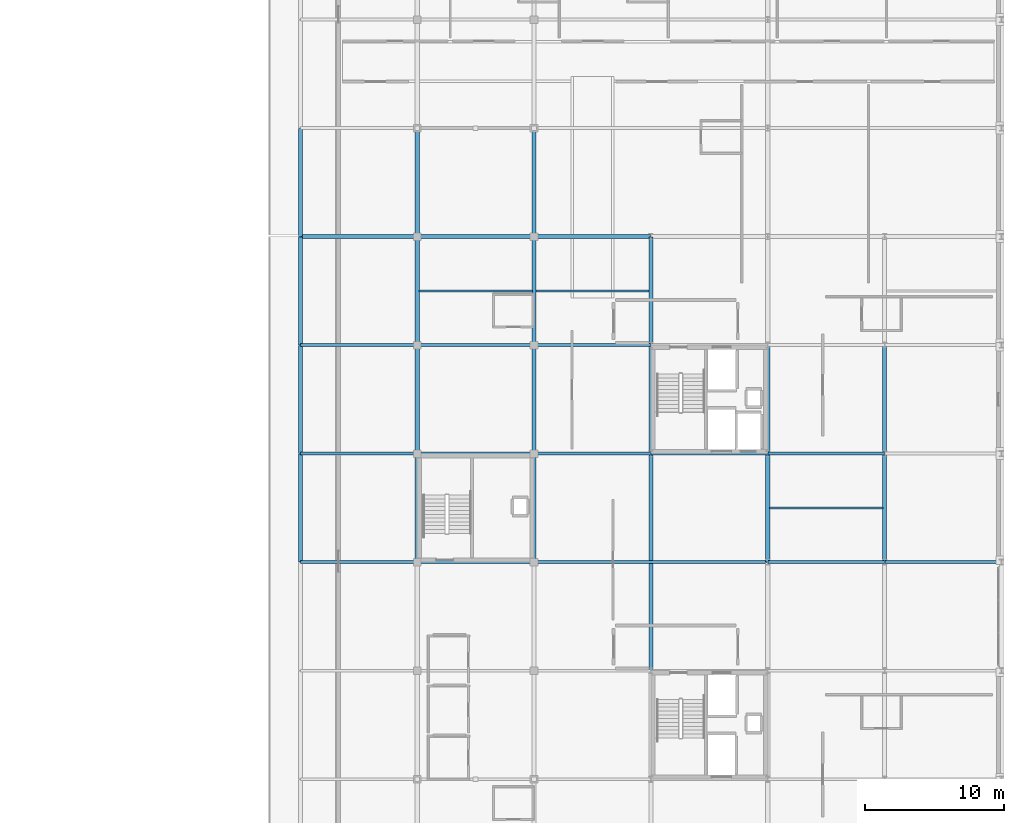
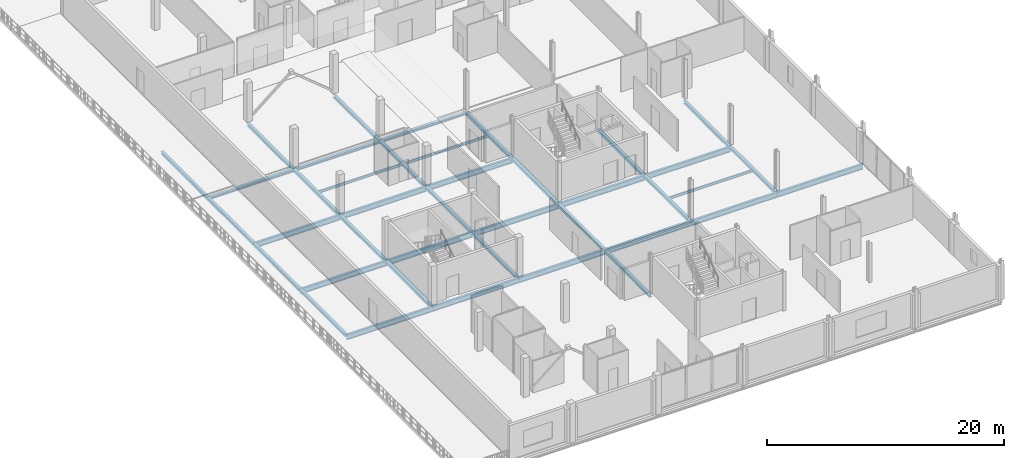
# One storey, part 6 of 20: 38 beams.
"""IFC4 building model written with IfcOpenShell, lengths in metres."""

import ifcopenshell
import ifcopenshell.guid

model = None  # the IFC model being written
_history = None  # IfcOwnerHistory: only IFC2X3 demands one
_inside = {}  # id of a spatial element -> (the spatial element, [elements in it])
_under = {}  # id of a project, library or spatial element -> (it, [spatial elements below it])
_declared = {}  # id of a project -> (the project, [libraries it declares])
_typed = {}  # id of a type object -> (the type object, [elements of that type])
_made_of = {}  # id of a material, layer set ... -> (it, [elements and type objects made of it])


def new_model(schema):
    """Start an empty IFC model of exactly this schema.

    Asked for "IFC4X3", IfcOpenShell would pick the latest addendum, in which some entities
    have other attributes; the version numbers below select the first issue.
    IFC2X3 requires an IfcOwnerHistory on every rooted entity: one is made here for all.
    """
    global model, _history
    if schema == "IFC4X3":
        model = ifcopenshell.file(schema_version=(4, 3, 0, 0))
    else:
        model = ifcopenshell.file(schema=schema)
    _inside.clear()
    _under.clear()
    _declared.clear()
    _typed.clear()
    _made_of.clear()
    _history = None
    if model.schema == "IFC2X3":
        org = make("IfcOrganization", Name="unknown")
        user = make(
            "IfcPersonAndOrganization",
            ThePerson=make("IfcPerson", FamilyName="unknown"),
            TheOrganization=org,
        )
        app = make(
            "IfcApplication",
            ApplicationDeveloper=org,
            Version="unknown",
            ApplicationFullName="unknown",
            ApplicationIdentifier="unknown",
        )
        _history = make(
            "IfcOwnerHistory",
            OwningUser=user,
            OwningApplication=app,
            ChangeAction="ADDED",
            CreationDate=0,
        )
    return model


def make(cls, **values):
    """One entity of the class cls with the attributes given. An attribute that is None is left unset."""
    return model.create_entity(
        cls, **{name: value for name, value in values.items() if value is not None}
    )


def rooted(cls, **values):
    """An entity with a GlobalId (a new one), such as an element, a storey or a relation."""
    return make(cls, GlobalId=ifcopenshell.guid.new(), OwnerHistory=_history, **values)


def si_unit(unit_type, name, prefix=None):
    """IfcSIUnit, for example si_unit("LENGTHUNIT", "METRE", prefix="MILLI")."""
    return make("IfcSIUnit", UnitType=unit_type, Prefix=prefix, Name=name)


def assignment(units):
    """IfcUnitAssignment: the units of a project."""
    return None if units is None else make("IfcUnitAssignment", Units=units)


def point(xyz):
    """IfcCartesianPoint."""
    return None if xyz is None else make("IfcCartesianPoint", Coordinates=xyz)


def direction(xyz):
    """IfcDirection."""
    return None if xyz is None else make("IfcDirection", DirectionRatios=xyz)


def frame(location, z_axis=None, x_axis=None):
    """IfcAxis2Placement3D, a coordinate frame: its origin and axes. An axis left out is left unset."""
    return make(
        "IfcAxis2Placement3D",
        Location=point(location),
        Axis=direction(z_axis),
        RefDirection=direction(x_axis),
    )


def frame_2d(location, x_axis=None):
    """IfcAxis2Placement2D, a coordinate frame in the plane: its origin and x axis."""
    return make(
        "IfcAxis2Placement2D", Location=point(location), RefDirection=direction(x_axis)
    )


def origin():
    """The frame at (0, 0, 0) with its axes left unset."""
    return frame((0.0, 0.0, 0.0))


def origin_2d():
    """The frame at (0, 0) in the plane with its x axis left unset."""
    return frame_2d((0.0, 0.0))


def place(relative_to, where):
    """IfcLocalPlacement: puts the frame where relative to a parent placement (None: the world)."""
    return make(
        "IfcLocalPlacement", PlacementRelTo=relative_to, RelativePlacement=where
    )


def context(
    kind, dimensions, precision=None, world=None, true_north=None, identifier=None
):
    """IfcGeometricRepresentationContext, for example the 3D "Model" context."""
    return make(
        "IfcGeometricRepresentationContext",
        ContextIdentifier=identifier,
        ContextType=kind,
        CoordinateSpaceDimension=dimensions,
        Precision=precision,
        WorldCoordinateSystem=world,
        TrueNorth=true_north,
    )


def subcontext(parent, identifier, kind, view, scale=None):
    """IfcGeometricRepresentationSubContext, for example "Body" below "Model"."""
    return make(
        "IfcGeometricRepresentationSubContext",
        ContextIdentifier=identifier,
        ContextType=kind,
        ParentContext=parent,
        TargetScale=scale,
        TargetView=view,
    )


def project(units=None, contexts=None):
    """IfcProject with its units and contexts."""
    return rooted(
        "IfcProject",
        Name="project",
        RepresentationContexts=contexts,
        UnitsInContext=assignment(units),
    )


def spatial(cls, under=None, at=None, **own):
    """A site, building, storey or space (cls), placed at a placement, below another one or the project."""
    s = rooted(cls, ObjectPlacement=at, **own)
    if under is not None:
        _under.setdefault(under.id(), (under, []))[1].append(s)
    return s


def profile(cls, at=None, kind="AREA", **sizes):
    """A parametric profile (cls). Its sizes go by their IFC names, for example OverallWidth=200.0."""
    return make(cls, ProfileType=kind, Position=at, **sizes)


def i_section(**sizes):
    """IfcIShapeProfileDef."""
    return profile("IfcIShapeProfileDef", **sizes)


def extrude(swept, where, along, depth):
    """IfcExtrudedAreaSolid: the profile swept, set in the frame where, extruded along a direction by depth."""
    return make(
        "IfcExtrudedAreaSolid",
        SweptArea=swept,
        Position=where,
        ExtrudedDirection=direction(along),
        Depth=depth,
    )


def shape(context_of_items, identifier, shape_type, items):
    """IfcShapeRepresentation: the items that make up one representation, for example the "Body"."""
    return make(
        "IfcShapeRepresentation",
        ContextOfItems=context_of_items,
        RepresentationIdentifier=identifier,
        RepresentationType=shape_type,
        Items=items,
    )


def material(Name=None, Category=None):
    """IfcMaterial."""
    return make("IfcMaterial", Name=Name, Category=Category)


def material_profile(
    of_material, cross_section, Name=None, Category=None, Priority=None
):
    """IfcMaterialProfile: a cross section and its material."""
    return make(
        "IfcMaterialProfile",
        Name=Name,
        Material=of_material,
        Profile=cross_section,
        Priority=Priority,
        Category=Category,
    )


def profile_set(profiles, Name=None, composite=None):
    """IfcMaterialProfileSet."""
    return make(
        "IfcMaterialProfileSet",
        Name=Name,
        MaterialProfiles=profiles,
        CompositeProfile=composite,
    )


def made_of(thing, what):
    """Note that an element or type object is made of a material, layer set ...; save() writes the relation."""
    if what is not None:
        _made_of.setdefault(what.id(), (what, []))[1].append(thing)
    return thing


def type_object(cls, material=None, **own):
    """A type object (cls), such as IfcWallType, which elements share."""
    return made_of(rooted(cls, **own), material)


def element(
    cls,
    number,
    at=None,
    inside=None,
    cuts=None,
    type_object=None,
    material=None,
    context=None,
    identifier="Body",
    shape_type=None,
    held_by="IfcProductDefinitionShape",
    body=None,
    shapes=None,
    **own,
):
    """One element of the class cls, such as IfcWall. Its Tag is "e" and its number.

    at: its placement. inside: the storey or other place that contains it. cuts: it is an
    opening in that element (IfcRelVoidsElement). A single representation is given by context,
    identifier, shape_type and body (its items); several are given by shapes. held_by: the class
    of the entity that holds the representations. save() writes the other relations.
    """
    e = rooted(cls, Tag="e%d" % number, ObjectPlacement=at, **own)
    if body is not None:
        shapes = [shape(context, identifier, shape_type, body)]
    if shapes is not None:
        e.Representation = make(held_by, Representations=shapes)
    if inside is not None:
        _inside.setdefault(inside.id(), (inside, []))[1].append(e)
    if cuts is not None:
        rooted(
            "IfcRelVoidsElement", RelatingBuildingElement=cuts, RelatedOpeningElement=e
        )
    if type_object is not None:
        _typed.setdefault(type_object.id(), (type_object, []))[1].append(e)
    return made_of(e, material)


def aggregate(whole, parts):
    """IfcRelAggregates: a whole, such as a stair, and the parts it consists of."""
    return rooted("IfcRelAggregates", RelatingObject=whole, RelatedObjects=parts)


def save(model, path):
    """Write the relations noted so far, then the file.

    IfcRelAggregates (storeys below a building ...), IfcRelContainedInSpatialStructure (elements
    in a storey), IfcRelDefinesByType, IfcRelAssociatesMaterial and IfcRelDeclares: one each for
    every whole, place, type object, material and project.
    """
    for whole, parts in _under.values():
        aggregate(whole, parts)
    for where, things in _inside.values():
        rooted(
            "IfcRelContainedInSpatialStructure",
            RelatedElements=things,
            RelatingStructure=where,
        )
    for kind, things in _typed.values():
        rooted("IfcRelDefinesByType", RelatedObjects=things, RelatingType=kind)
    for what, things in _made_of.values():
        rooted("IfcRelAssociatesMaterial", RelatedObjects=things, RelatingMaterial=what)
    for by, libraries in _declared.values():
        rooted("IfcRelDeclares", RelatingContext=by, RelatedDefinitions=libraries)
    model.write(path)


model = new_model("IFC4")

# Units and contexts
model_context = context("Model", 3, precision=1e-05, world=origin(), true_north=direction((0.0, 1.0)))
body_context = subcontext(model_context, "Body", "Model", "MODEL_VIEW")
ifc_project = project(units=[si_unit("LENGTHUNIT", "METRE"), si_unit("AREAUNIT", "SQUARE_METRE"), si_unit("VOLUMEUNIT", "CUBIC_METRE"), si_unit("PLANEANGLEUNIT", "RADIAN"), si_unit("MASSUNIT", "GRAM", prefix="KILO")], contexts=[model_context])

# Site, building, storey
site_placement = place(None, origin())
site = spatial("IfcSite", under=ifc_project, at=site_placement, CompositionType="ELEMENT")
building_placement = place(site_placement, origin())
building = spatial("IfcBuilding", under=site, at=building_placement, Name="Nabrawat Pavilion Hospital", CompositionType="ELEMENT")
storey_placement = place(building_placement, frame((0.0, 0.0, 27.0)))
storey = spatial("IfcBuildingStorey", under=building, at=storey_placement, Name="L06", CompositionType="ELEMENT", Elevation=27.0)

# Beams
ifc_material = material(Name="Steel S355", Category="steel")
ifc_material_profile_1 = material_profile(ifc_material, i_section(OverallWidth=0.2099609375, OverallDepth=0.550048828125, WebThickness=0.010986328125, FlangeThickness=0.01708984375, FilletRadius=0.02392578125, at=origin_2d()), Name="IPE 550")
ifc_profile_set_1 = profile_set([ifc_material_profile_1], Name="Steel S355")
beam_type_1 = type_object("IfcBeamType", Name="Long-Span Floor Girder IPE 550", PredefinedType="USERDEFINED", material=ifc_profile_set_1)
beam_1_placement = place(storey_placement, frame((142.820068359375, 62.39990234375, -0.5048828125), z_axis=(1.0, 0.0, 0.0), x_axis=(0.0, 1.0, 0.0)))
element("IfcBeam", 1, at=beam_1_placement, inside=storey, type_object=beam_type_1, Name="L06 Primary X Girder 2136", ObjectType="GIRDER", PredefinedType="USERDEFINED", context=body_context, shape_type="SweptSolid", body=[
    extrude(i_section(OverallWidth=0.2099609375, OverallDepth=0.550048828125, WebThickness=0.010986328125, FlangeThickness=0.01708984375, FilletRadius=0.02392578125, at=origin_2d()), origin(), (0.0, 0.0, 1.0), 8.35986328125),
])
beam_2_placement = place(storey_placement, frame((151.219970703125, 62.39990234375, -0.5048828125), z_axis=(1.0, 0.0, 0.0), x_axis=(0.0, 1.0, 0.0)))
element("IfcBeam", 2, at=beam_2_placement, inside=storey, type_object=beam_type_1, Name="L06 Primary X Girder 2137", ObjectType="GIRDER", PredefinedType="USERDEFINED", context=body_context, shape_type="SweptSolid", body=[
    extrude(i_section(OverallWidth=0.2099609375, OverallDepth=0.550048828125, WebThickness=0.010986328125, FlangeThickness=0.01708984375, FilletRadius=0.02392578125, at=origin_2d()), origin(), (0.0, 0.0, 1.0), 8.360107421875),
])
beam_3_placement = place(storey_placement, frame((159.6201171875, 62.39990234375, -0.5048828125), z_axis=(1.0, 0.0, 0.0), x_axis=(0.0, 1.0, 0.0)))
element("IfcBeam", 3, at=beam_3_placement, inside=storey, type_object=beam_type_1, Name="L06 Primary X Girder 2138", ObjectType="GIRDER", PredefinedType="USERDEFINED", context=body_context, shape_type="SweptSolid", body=[
    extrude(i_section(OverallWidth=0.2099609375, OverallDepth=0.550048828125, WebThickness=0.010986328125, FlangeThickness=0.01708984375, FilletRadius=0.02392578125, at=origin_2d()), origin(), (0.0, 0.0, 1.0), 16.759765625),
])
beam_4_placement = place(storey_placement, frame((176.419921875, 62.39990234375, -0.5048828125), z_axis=(1.0, 0.0, 0.0), x_axis=(0.0, 1.0, 0.0)))
element("IfcBeam", 4, at=beam_4_placement, inside=storey, type_object=beam_type_1, Name="L06 Primary X Girder 2139", ObjectType="GIRDER", PredefinedType="USERDEFINED", context=body_context, shape_type="SweptSolid", body=[
    extrude(i_section(OverallWidth=0.2099609375, OverallDepth=0.550048828125, WebThickness=0.010986328125, FlangeThickness=0.01708984375, FilletRadius=0.02392578125, at=origin_2d()), origin(), (0.0, 0.0, 1.0), 8.360107421875),
])
for number, where, z_axis, x_axis, name in (
    (5, (184.820068359375, 62.39990234375, -0.5048828125), (1.0, 0.0, 0.0), (0.0, 1.0, 0.0), "L06 Primary X Girder 2140"),
    (6, (142.820068359375, 70.199951171875, -0.5048828125), (1.0, 0.0, 0.0), (0.0, 1.0, 0.0), "L06 Primary X Girder 2141"),
):
    element("IfcBeam", number, at=place(storey_placement, frame(where, z_axis=z_axis, x_axis=x_axis)), inside=storey, type_object=beam_type_1, Name=name, ObjectType="GIRDER", PredefinedType="USERDEFINED", context=body_context, shape_type="SweptSolid", body=[
        extrude(i_section(OverallWidth=0.2099609375, OverallDepth=0.550048828125, WebThickness=0.010986328125, FlangeThickness=0.01708984375, FilletRadius=0.02392578125, at=origin_2d()), origin(), (0.0, 0.0, 1.0), 8.35986328125),
    ])
beam_5_placement = place(storey_placement, frame((151.219970703125, 70.199951171875, -0.5048828125), z_axis=(1.0, 0.0, 0.0), x_axis=(0.0, 1.0, 0.0)))
element("IfcBeam", 7, at=beam_5_placement, inside=storey, type_object=beam_type_1, Name="L06 Primary X Girder 2142", ObjectType="GIRDER", PredefinedType="USERDEFINED", context=body_context, shape_type="SweptSolid", body=[
    extrude(i_section(OverallWidth=0.2099609375, OverallDepth=0.550048828125, WebThickness=0.010986328125, FlangeThickness=0.01708984375, FilletRadius=0.02392578125, at=origin_2d()), origin(), (0.0, 0.0, 1.0), 8.360107421875),
])
for number, where, z_axis, x_axis, name in (
    (8, (159.6201171875, 70.199951171875, -0.5048828125), (1.0, 0.0, 0.0), (0.0, 1.0, 0.0), "L06 Primary X Girder 2143"),
    (9, (168.02001953125, 70.199951171875, -0.5048828125), (1.0, 0.0, 0.0), (0.0, 1.0, 0.0), "L06 Primary X Girder 2144"),
):
    element("IfcBeam", number, at=place(storey_placement, frame(where, z_axis=z_axis, x_axis=x_axis)), inside=storey, type_object=beam_type_1, Name=name, ObjectType="GIRDER", PredefinedType="USERDEFINED", context=body_context, shape_type="SweptSolid", body=[
        extrude(i_section(OverallWidth=0.2099609375, OverallDepth=0.550048828125, WebThickness=0.010986328125, FlangeThickness=0.01708984375, FilletRadius=0.02392578125, at=origin_2d()), origin(), (0.0, 0.0, 1.0), 8.35986328125),
    ])
beam_6_placement = place(storey_placement, frame((176.419921875, 70.199951171875, -0.5048828125), z_axis=(1.0, 0.0, 0.0), x_axis=(0.0, 1.0, 0.0)))
element("IfcBeam", 10, at=beam_6_placement, inside=storey, type_object=beam_type_1, Name="L06 Primary X Girder 2145", ObjectType="GIRDER", PredefinedType="USERDEFINED", context=body_context, shape_type="SweptSolid", body=[
    extrude(i_section(OverallWidth=0.2099609375, OverallDepth=0.550048828125, WebThickness=0.010986328125, FlangeThickness=0.01708984375, FilletRadius=0.02392578125, at=origin_2d()), origin(), (0.0, 0.0, 1.0), 8.360107421875),
])
beam_7_placement = place(storey_placement, frame((142.820068359375, 78.0, -0.5048828125), z_axis=(1.0, 0.0, 0.0), x_axis=(0.0, 1.0, 0.0)))
element("IfcBeam", 11, at=beam_7_placement, inside=storey, type_object=beam_type_1, Name="L06 Primary X Girder 2147", ObjectType="GIRDER", PredefinedType="USERDEFINED", context=body_context, shape_type="SweptSolid", body=[
    extrude(i_section(OverallWidth=0.2099609375, OverallDepth=0.550048828125, WebThickness=0.010986328125, FlangeThickness=0.01708984375, FilletRadius=0.02392578125, at=origin_2d()), origin(), (0.0, 0.0, 1.0), 8.35986328125),
])
beam_8_placement = place(storey_placement, frame((151.219970703125, 78.0, -0.5048828125), z_axis=(1.0, 0.0, 0.0), x_axis=(0.0, 1.0, 0.0)))
element("IfcBeam", 12, at=beam_8_placement, inside=storey, type_object=beam_type_1, Name="L06 Primary X Girder 2148", ObjectType="GIRDER", PredefinedType="USERDEFINED", context=body_context, shape_type="SweptSolid", body=[
    extrude(i_section(OverallWidth=0.2099609375, OverallDepth=0.550048828125, WebThickness=0.010986328125, FlangeThickness=0.01708984375, FilletRadius=0.02392578125, at=origin_2d()), origin(), (0.0, 0.0, 1.0), 8.360107421875),
])
beam_9_placement = place(storey_placement, frame((159.6201171875, 78.0, -0.5048828125), z_axis=(1.0, 0.0, 0.0), x_axis=(0.0, 1.0, 0.0)))
element("IfcBeam", 13, at=beam_9_placement, inside=storey, type_object=beam_type_1, Name="L06 Primary X Girder 2149", ObjectType="GIRDER", PredefinedType="USERDEFINED", context=body_context, shape_type="SweptSolid", body=[
    extrude(i_section(OverallWidth=0.2099609375, OverallDepth=0.550048828125, WebThickness=0.010986328125, FlangeThickness=0.01708984375, FilletRadius=0.02392578125, at=origin_2d()), origin(), (0.0, 0.0, 1.0), 8.35986328125),
])
ifc_material_profile_2 = material_profile(ifc_material, i_section(OverallWidth=0.280029296875, OverallDepth=0.280029296875, WebThickness=0.010498046875, FlangeThickness=0.01806640625, FilletRadius=0.02392578125, at=origin_2d()), Name="HEB 280")
ifc_profile_set_2 = profile_set([ifc_material_profile_2], Name="Steel S355")
beam_type_2 = type_object("IfcBeamType", Name="Upper Terrace Edge Spandrel HEB 280", PredefinedType="SPANDREL", material=ifc_profile_set_2)
beam_10_placement = place(storey_placement, frame((142.820068359375, 85.800048828125, -0.3701171875), z_axis=(1.0, 0.0, 0.0), x_axis=(0.0, 1.0, 0.0)))
element("IfcBeam", 14, at=beam_10_placement, inside=storey, type_object=beam_type_2, Name="L06 Primary X Girder 2153", PredefinedType="SPANDREL", context=body_context, shape_type="SweptSolid", body=[
    extrude(i_section(OverallWidth=0.280029296875, OverallDepth=0.280029296875, WebThickness=0.010498046875, FlangeThickness=0.01806640625, FilletRadius=0.02392578125, at=origin_2d()), origin(), (0.0, 0.0, 1.0), 8.35986328125),
])
beam_11_placement = place(storey_placement, frame((151.219970703125, 85.800048828125, -0.3701171875), z_axis=(1.0, 0.0, 0.0), x_axis=(0.0, 1.0, 0.0)))
element("IfcBeam", 15, at=beam_11_placement, inside=storey, type_object=beam_type_2, Name="L06 Primary X Girder 2154", PredefinedType="SPANDREL", context=body_context, shape_type="SweptSolid", body=[
    extrude(i_section(OverallWidth=0.280029296875, OverallDepth=0.280029296875, WebThickness=0.010498046875, FlangeThickness=0.01806640625, FilletRadius=0.02392578125, at=origin_2d()), origin(), (0.0, 0.0, 1.0), 8.360107421875),
])
beam_12_placement = place(storey_placement, frame((159.6201171875, 85.800048828125, -0.3701171875), z_axis=(1.0, 0.0, 0.0), x_axis=(0.0, 1.0, 0.0)))
element("IfcBeam", 16, at=beam_12_placement, inside=storey, type_object=beam_type_2, Name="L06 Primary X Girder 2155", PredefinedType="SPANDREL", context=body_context, shape_type="SweptSolid", body=[
    extrude(i_section(OverallWidth=0.280029296875, OverallDepth=0.280029296875, WebThickness=0.010498046875, FlangeThickness=0.01806640625, FilletRadius=0.02392578125, at=origin_2d()), origin(), (0.0, 0.0, 1.0), 8.35986328125),
])
for number, where, z_axis, x_axis, name in (
    (17, (142.800048828125, 62.419921875, -0.35009765625), (0.0, 1.0, 0.0), (-1.0, 0.0, 0.0), "L06 Primary Y Beam 2180"),
    (18, (142.800048828125, 70.219970703125, -0.35009765625), (0.0, 1.0, 0.0), (-1.0, 0.0, 0.0), "L06 Primary Y Beam 2181"),
    (19, (142.800048828125, 78.02001953125, -0.35009765625), (0.0, 1.0, 0.0), (-1.0, 0.0, 0.0), "L06 Primary Y Beam 2182"),
    (20, (142.800048828125, 85.820068359375, -0.35009765625), (0.0, 1.0, 0.0), (-1.0, 0.0, 0.0), "L06 Primary Y Beam 2183"),
):
    element("IfcBeam", number, at=place(storey_placement, frame(where, z_axis=z_axis, x_axis=x_axis)), inside=storey, type_object=beam_type_2, Name=name, PredefinedType="SPANDREL", context=body_context, shape_type="SweptSolid", body=[
        extrude(i_section(OverallWidth=0.280029296875, OverallDepth=0.280029296875, WebThickness=0.010498046875, FlangeThickness=0.01806640625, FilletRadius=0.02392578125, at=origin_2d()), origin(), (0.0, 0.0, 1.0), 7.760009765625),
    ])
ifc_material_profile_3 = material_profile(ifc_material, i_section(OverallWidth=0.135009765625, OverallDepth=0.27001953125, WebThickness=0.006591796875, FlangeThickness=0.01025390625, FilletRadius=0.014892578125, at=origin_2d()), Name="IPE 270")
ifc_profile_set_3 = profile_set([ifc_material_profile_3], Name="Steel S355")
beam_type_3 = type_object("IfcBeamType", Name="Upper Ward Secondary Joist IPE 270", PredefinedType="JOIST", material=ifc_profile_set_3)
beam_13_placement = place(storey_placement, frame((151.324951171875, 81.89990234375, -0.364990234375), z_axis=(1.0, 0.0, 0.0), x_axis=(0.0, 1.0, 0.0)))
element("IfcBeam", 21, at=beam_13_placement, inside=storey, type_object=beam_type_3, Name="L06 Secondary Composite Floor Joist 2238", PredefinedType="JOIST", context=body_context, shape_type="SweptSolid", body=[
    extrude(i_section(OverallWidth=0.135009765625, OverallDepth=0.27001953125, WebThickness=0.006591796875, FlangeThickness=0.01025390625, FilletRadius=0.014892578125, at=origin_2d()), origin(), (0.0, 0.0, 1.0), 8.150146484375),
])
beam_14_placement = place(storey_placement, frame((159.72509765625, 81.89990234375, -0.364990234375), z_axis=(1.0, 0.0, 0.0), x_axis=(0.0, 1.0, 0.0)))
element("IfcBeam", 22, at=beam_14_placement, inside=storey, type_object=beam_type_3, Name="L06 Secondary Composite Floor Joist 2239", PredefinedType="JOIST", context=body_context, shape_type="SweptSolid", body=[
    extrude(i_section(OverallWidth=0.135009765625, OverallDepth=0.27001953125, WebThickness=0.006591796875, FlangeThickness=0.01025390625, FilletRadius=0.014892578125, at=origin_2d()), origin(), (0.0, 0.0, 1.0), 8.14990234375),
])
beam_15_placement = place(storey_placement, frame((176.52490234375, 66.300048828125, -0.364990234375), z_axis=(1.0, 0.0, 0.0), x_axis=(0.0, 1.0, 0.0)))
element("IfcBeam", 23, at=beam_15_placement, inside=storey, type_object=beam_type_3, Name="L06 Secondary Composite Floor Joist 2240", PredefinedType="JOIST", context=body_context, shape_type="SweptSolid", body=[
    extrude(i_section(OverallWidth=0.135009765625, OverallDepth=0.27001953125, WebThickness=0.006591796875, FlangeThickness=0.01025390625, FilletRadius=0.014892578125, at=origin_2d()), origin(), (0.0, 0.0, 1.0), 8.150146484375),
])
ifc_material_profile_4 = material_profile(ifc_material, i_section(OverallWidth=0.300048828125, OverallDepth=0.2900390625, WebThickness=0.008544921875, FlangeThickness=0.013916015625, FilletRadius=0.027099609375, at=origin_2d()), Name="HEA 300")
ifc_profile_set_4 = profile_set([ifc_material_profile_4], Name="Steel S355")
beam_type_4 = type_object("IfcBeamType", Name="Upper Ward Spine Beam HEA 300", PredefinedType="BEAM", material=ifc_profile_set_4)
for number, where, z_axis, x_axis, name in (
    (24, (151.199951171875, 62.419921875, -0.375), (0.0, 1.0, 0.0), (-1.0, 0.0, 0.0), "L06 Primary Y Beam 2190"),
    (25, (151.199951171875, 70.219970703125, -0.375), (0.0, 1.0, 0.0), (-1.0, 0.0, 0.0), "L06 Primary Y Beam 2191"),
    (26, (151.199951171875, 78.02001953125, -0.375), (0.0, 1.0, 0.0), (-1.0, 0.0, 0.0), "L06 Primary Y Beam 2192"),
    (27, (151.199951171875, 85.820068359375, -0.375), (0.0, 1.0, 0.0), (-1.0, 0.0, 0.0), "L06 Primary Y Beam 2193"),
    (28, (159.60009765625, 62.419921875, -0.375), (0.0, 1.0, 0.0), (-1.0, 0.0, 0.0), "L06 Primary Y Beam 2200"),
    (29, (159.60009765625, 70.219970703125, -0.375), (0.0, 1.0, 0.0), (-1.0, 0.0, 0.0), "L06 Primary Y Beam 2201"),
    (30, (159.60009765625, 78.02001953125, -0.375), (0.0, 1.0, 0.0), (-1.0, 0.0, 0.0), "L06 Primary Y Beam 2202"),
    (31, (159.60009765625, 85.820068359375, -0.375), (0.0, 1.0, 0.0), (-1.0, 0.0, 0.0), "L06 Primary Y Beam 2203"),
):
    element("IfcBeam", number, at=place(storey_placement, frame(where, z_axis=z_axis, x_axis=x_axis)), inside=storey, type_object=beam_type_4, Name=name, PredefinedType="BEAM", context=body_context, shape_type="SweptSolid", body=[
        extrude(i_section(OverallWidth=0.300048828125, OverallDepth=0.2900390625, WebThickness=0.008544921875, FlangeThickness=0.013916015625, FilletRadius=0.027099609375, at=origin_2d()), origin(), (0.0, 0.0, 1.0), 7.760009765625),
    ])
beam_16_placement = place(storey_placement, frame((168.0, 54.6201171875, -0.375), z_axis=(0.0, 1.0, 0.0), x_axis=(-1.0, 0.0, 0.0)))
element("IfcBeam", 32, at=beam_16_placement, inside=storey, type_object=beam_type_4, Name="L06 Primary Y Beam 2209", PredefinedType="BEAM", context=body_context, shape_type="SweptSolid", body=[
    extrude(i_section(OverallWidth=0.300048828125, OverallDepth=0.2900390625, WebThickness=0.008544921875, FlangeThickness=0.013916015625, FilletRadius=0.027099609375, at=origin_2d()), origin(), (0.0, 0.0, 1.0), 15.559814453125),
])
for number, where, z_axis, x_axis, name in (
    (33, (168.0, 70.219970703125, -0.375), (0.0, 1.0, 0.0), (-1.0, 0.0, 0.0), "L06 Primary Y Beam 2210"),
    (34, (168.0, 78.02001953125, -0.375), (0.0, 1.0, 0.0), (-1.0, 0.0, 0.0), "L06 Primary Y Beam 2211"),
    (35, (176.39990234375, 62.419921875, -0.375), (0.0, 1.0, 0.0), (-1.0, 0.0, 0.0), "L06 Primary Y Beam 2215"),
    (36, (176.39990234375, 70.219970703125, -0.375), (0.0, 1.0, 0.0), (-1.0, 0.0, 0.0), "L06 Primary Y Beam 2216"),
    (37, (184.800048828125, 62.419921875, -0.375), (0.0, 1.0, 0.0), (-1.0, 0.0, 0.0), "L06 Primary Y Beam 2225"),
    (38, (184.800048828125, 70.219970703125, -0.375), (0.0, 1.0, 0.0), (-1.0, 0.0, 0.0), "L06 Primary Y Beam 2226"),
):
    element("IfcBeam", number, at=place(storey_placement, frame(where, z_axis=z_axis, x_axis=x_axis)), inside=storey, type_object=beam_type_4, Name=name, PredefinedType="BEAM", context=body_context, shape_type="SweptSolid", body=[
        extrude(i_section(OverallWidth=0.300048828125, OverallDepth=0.2900390625, WebThickness=0.008544921875, FlangeThickness=0.013916015625, FilletRadius=0.027099609375, at=origin_2d()), origin(), (0.0, 0.0, 1.0), 7.760009765625),
    ])

save(model, "model.ifc")
